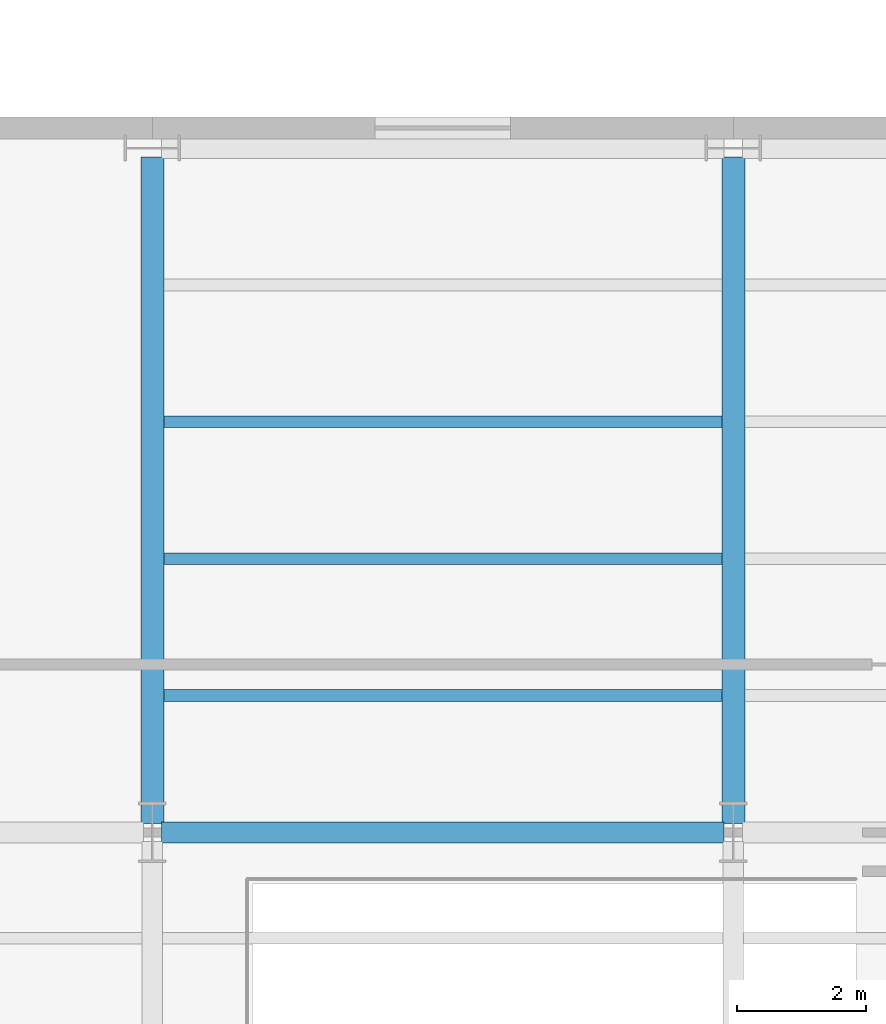
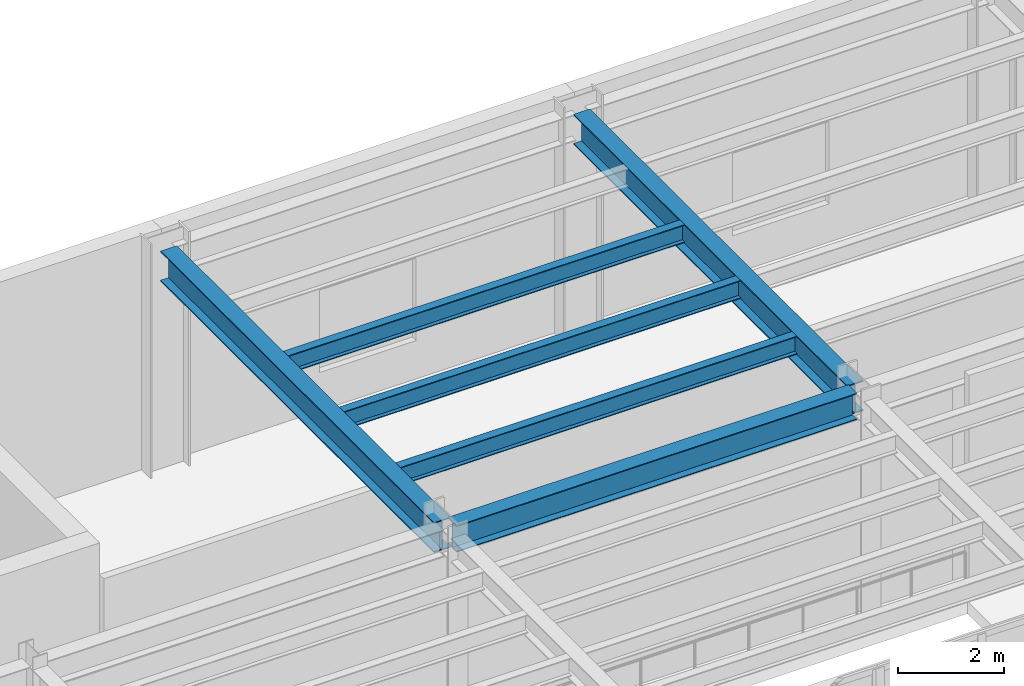
# One storey, part 30 of 98: 6 beams.
"""IFC4 building model written with IfcOpenShell, lengths in metres."""

from ifc_helpers import new_model, si_unit, direction, frame, origin, origin_2d, place, context, subcontext, project, spatial, i_section, extrude, material, material_profile, profile_set, type_object, element, save


model = new_model("IFC4")

# Units and contexts
model_context = context("Model", 3, precision=1e-05, world=origin(), true_north=direction((0.0, 1.0)))
body_context = subcontext(model_context, "Body", "Model", "MODEL_VIEW")
ifc_project = project(units=[si_unit("LENGTHUNIT", "METRE"), si_unit("AREAUNIT", "SQUARE_METRE"), si_unit("VOLUMEUNIT", "CUBIC_METRE"), si_unit("PLANEANGLEUNIT", "RADIAN"), si_unit("MASSUNIT", "GRAM", prefix="KILO")], contexts=[model_context])

# Site, building, storey
site_placement = place(None, origin())
site = spatial("IfcSite", under=ifc_project, at=site_placement, CompositionType="ELEMENT")
building_placement = place(site_placement, origin())
building = spatial("IfcBuilding", under=site, at=building_placement, Name="Sollismere Congress Hotel", CompositionType="ELEMENT")
storey_placement = place(building_placement, frame((0.0, 0.0, 5.39990234375)))
storey = spatial("IfcBuildingStorey", under=building, at=storey_placement, Name="L01", CompositionType="ELEMENT", Elevation=5.39990234375)

# Beams
ifc_material = material(Name="Steel ASTM A992 Grade 50", Category="steel")
ifc_material_profile_1 = material_profile(ifc_material, i_section(OverallWidth=0.324951171875, OverallDepth=0.612060546875, WebThickness=0.0126953125, FlangeThickness=0.01904296875, at=origin_2d()), Name="W24X104")
ifc_profile_set_1 = profile_set([ifc_material_profile_1], Name="Steel ASTM A992 Grade 50")
beam_type_1 = type_object("IfcBeamType", Name="BM-G24", PredefinedType="BEAM", material=ifc_profile_set_1)
beam_placement = place(storey_placement, frame((67.139892578125, 8.199951171875, 4.814208984375), z_axis=(1.0, 0.0, 0.0), x_axis=(0.0, 1.0, 0.0)))
element("IfcBeam", 1, at=beam_placement, inside=storey, type_object=beam_type_1, Name="Beam BM-L01-1540", PredefinedType="BEAM", context=body_context, shape_type="SweptSolid", body=[
    extrude(i_section(OverallWidth=0.324951171875, OverallDepth=0.612060546875, WebThickness=0.0126953125, FlangeThickness=0.01904296875, at=origin_2d()), origin(), (0.0, 0.0, 1.0), 8.72021484375),
])
ifc_material_profile_2 = material_profile(ifc_material, i_section(OverallWidth=0.35595703125, OverallDepth=0.696044921875, WebThickness=0.015380859375, FlangeThickness=0.025146484375, at=origin_2d()), Name="W27X146")
ifc_profile_set_2 = profile_set([ifc_material_profile_2], Name="Steel ASTM A992 Grade 50")
beam_type_2 = type_object("IfcBeamType", Name="BM-G27", PredefinedType="BEAM", material=ifc_profile_set_2)
for number, where, z_axis, x_axis, name in (
    (2, (67.0, 8.340087890625, 4.772216796875), (0.0, 1.0, 0.0), (-1.0, 0.0, 0.0), "Beam BM-L01-1658"),
    (3, (76.0, 8.340087890625, 4.772216796875), (0.0, 1.0, 0.0), (-1.0, 0.0, 0.0), "Beam BM-L01-1664"),
):
    element("IfcBeam", number, at=place(storey_placement, frame(where, z_axis=z_axis, x_axis=x_axis)), inside=storey, type_object=beam_type_2, Name=name, PredefinedType="BEAM", context=body_context, shape_type="SweptSolid", body=[
        extrude(i_section(OverallWidth=0.35595703125, OverallDepth=0.696044921875, WebThickness=0.015380859375, FlangeThickness=0.025146484375, at=origin_2d()), origin(), (0.0, 0.0, 1.0), 10.31982421875),
    ])
ifc_material_profile_3 = material_profile(ifc_material, i_section(OverallWidth=0.180908203125, OverallDepth=0.4169921875, WebThickness=0.010986328125, FlangeThickness=0.018310546875, at=origin_2d()), Name="W16X57")
ifc_profile_set_3 = profile_set([ifc_material_profile_3], Name="Steel ASTM A992 Grade 50")
beam_type_3 = type_object("IfcBeamType", Name="BM-J16", PredefinedType="JOIST", material=ifc_profile_set_3)
for number, where, z_axis, x_axis, name in (
    (4, (67.177978515625, 10.320068359375, 4.91162109375), (1.0, 0.0, 0.0), (0.0, 1.0, 0.0), "Beam BM-L01-1798"),
    (5, (67.177978515625, 12.43994140625, 4.91162109375), (1.0, 0.0, 0.0), (0.0, 1.0, 0.0), "Beam BM-L01-1799"),
    (6, (67.177978515625, 14.56005859375, 4.91162109375), (1.0, 0.0, 0.0), (0.0, 1.0, 0.0), "Beam BM-L01-1800"),
):
    element("IfcBeam", number, at=place(storey_placement, frame(where, z_axis=z_axis, x_axis=x_axis)), inside=storey, type_object=beam_type_3, Name=name, PredefinedType="JOIST", context=body_context, shape_type="SweptSolid", body=[
        extrude(i_section(OverallWidth=0.180908203125, OverallDepth=0.4169921875, WebThickness=0.010986328125, FlangeThickness=0.018310546875, at=origin_2d()), origin(), (0.0, 0.0, 1.0), 8.64404296875),
    ])

save(model, "model.ifc")
